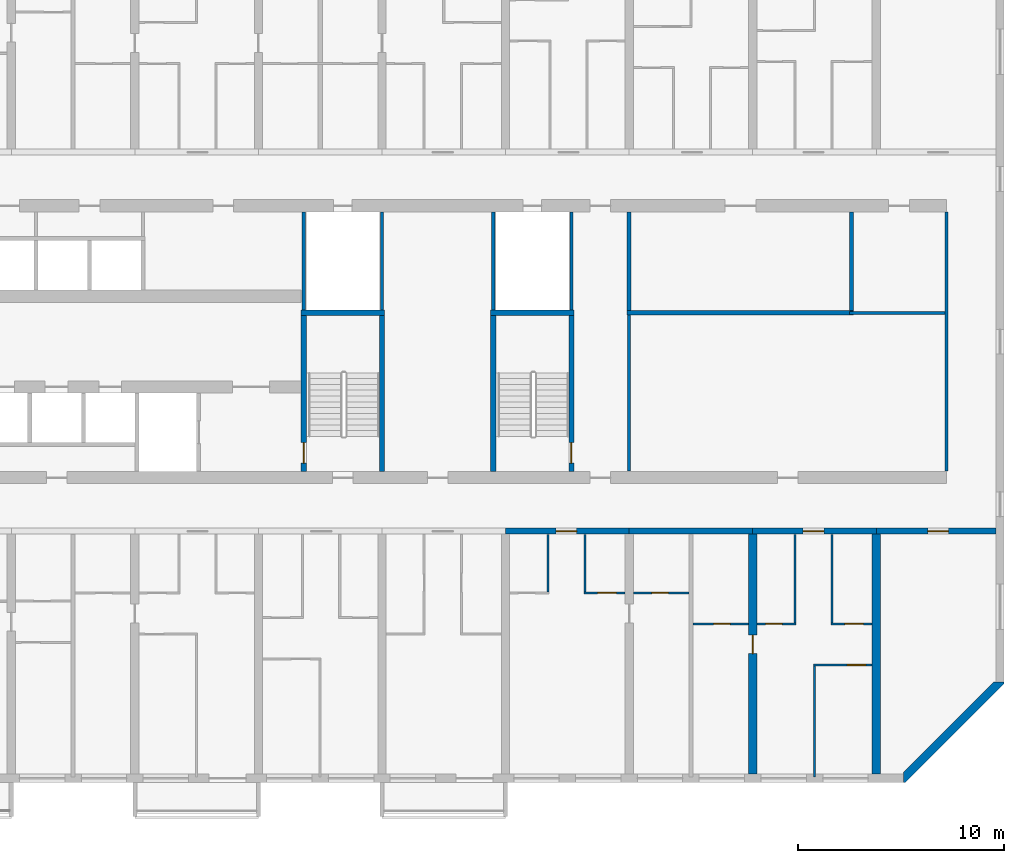
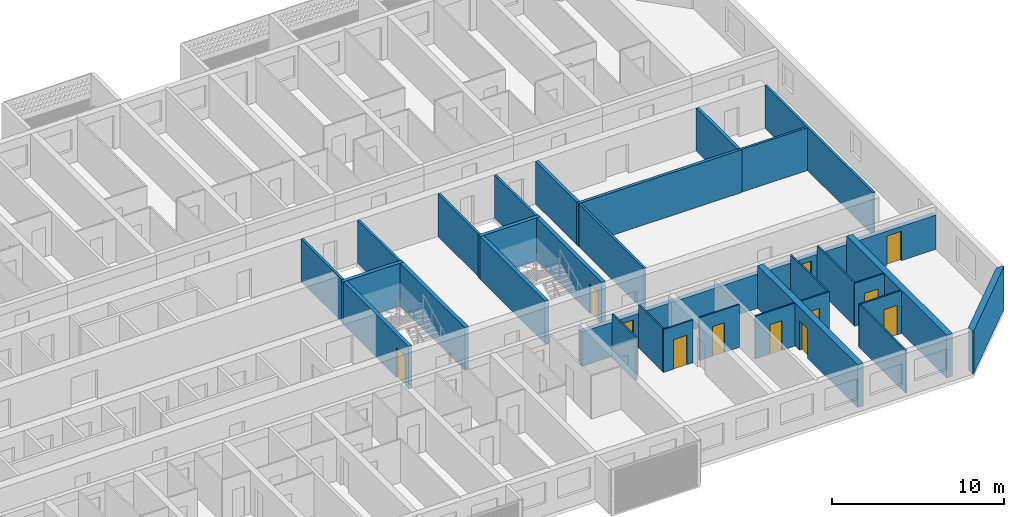
# One storey, part 15 of 40: 34 walls, 12 doors, 12 openings.
"""IFC4 building model written with IfcOpenShell, lengths in metres."""

from ifc_helpers import new_model, si_unit, direction, frame, frame_2d, origin, place, context, subcontext, project, spatial, polyline, rectangle, outline, extrude, material, layer, layer_set, type_object, element, fill, save


model = new_model("IFC4")

# Units and contexts
model_context = context("Model", 3, precision=1e-05, world=origin(), true_north=direction((0.0, 1.0)))
body_context = subcontext(model_context, "Body", "Model", "MODEL_VIEW")
ifc_project = project(units=[si_unit("LENGTHUNIT", "METRE"), si_unit("AREAUNIT", "SQUARE_METRE"), si_unit("VOLUMEUNIT", "CUBIC_METRE"), si_unit("PLANEANGLEUNIT", "RADIAN"), si_unit("MASSUNIT", "GRAM", prefix="KILO")], contexts=[model_context])

# Site, building, storey
site_placement = place(None, origin())
site = spatial("IfcSite", under=ifc_project, at=site_placement, CompositionType="ELEMENT")
building_placement = place(site_placement, origin())
building = spatial("IfcBuilding", under=site, at=building_placement, Name="Poui Terraces", CompositionType="ELEMENT")
storey_placement = place(building_placement, frame((0.0, 0.0, 36.60009765625)))
storey = spatial("IfcBuildingStorey", under=building, at=storey_placement, Name="L09", CompositionType="ELEMENT", Elevation=36.60009765625)

# Walls
ifc_material_1 = material(Name="Fire-rated plasterboard wall")
ifc_layer_1 = layer(ifc_material_1, 0.14990234375)
ifc_layer_set_1 = layer_set([ifc_layer_1], Name="Fire-rated plasterboard wall")
wall_type_1 = type_object("IfcWallType", Name="CORRIDOR WALL 150", PredefinedType="PARTITIONING", material=ifc_layer_set_1)
wall_1_placement = place(storey_placement, frame((84.0, 14.909912109375, 0.0), z_axis=(0.0, 0.0, 1.0), x_axis=(0.0, 1.0, 0.0)))
element("IfcWall", 1, at=wall_1_placement, inside=storey, type_object=wall_type_1, Name="CORRIDOR WALL 150", PredefinedType="PARTITIONING", context=body_context, shape_type="SweptSolid", body=[
    extrude(rectangle(XDim=7.590087890625, YDim=0.14990234375, at=frame_2d((3.794921875, 0.0))), origin(), (0.0, 0.0, 1.0), 3.0498046875),
])
wall_2_placement = place(storey_placement, frame((99.39990234375, 14.909912109375, 0.0), z_axis=(0.0, 0.0, 1.0), x_axis=(0.0, 1.0, 0.0)))
element("IfcWall", 2, at=wall_2_placement, inside=storey, type_object=wall_type_1, Name="CORRIDOR WALL 150", PredefinedType="PARTITIONING", context=body_context, shape_type="SweptSolid", body=[
    extrude(rectangle(XDim=12.580078125, YDim=0.14990234375, at=frame_2d((6.2900390625, 0.0))), origin(), (0.0, 0.0, 1.0), 3.0498046875),
])

# Wall, opening, door
ifc_material_2 = material(Name="Concrete 80 MPa", Category="concrete")
ifc_layer_2 = layer(ifc_material_2, 0.300048828125)
ifc_layer_set_2 = layer_set([ifc_layer_2], Name="Concrete 80 MPa")
wall_type_2 = type_object("IfcWallType", Name="CORRIDOR WALL 300 80MPa", PredefinedType="SHEAR", material=ifc_layer_set_2)
wall_3_placement = place(storey_placement, frame((78.0, 12.0, 0.0), z_axis=(0.0, 0.0, 1.0), x_axis=(1.0, 0.0, 0.0)))
wall_3 = element("IfcWall", 3, at=wall_3_placement, inside=storey, type_object=wall_type_2, Name="CORRIDOR WALL LINE B BAY 14", PredefinedType="SHEAR", context=body_context, shape_type="SweptSolid", body=[
    extrude(rectangle(XDim=6.0, YDim=0.300048828125, at=frame_2d((3.0, 0.0))), origin(), (0.0, 0.0, 1.0), 2.449951171875),
])
opening_1_placement = place(wall_3_placement, frame((2.449951171875, 0.0, 0.0)))
opening_1 = element("IfcOpeningElement", 4, at=opening_1_placement, cuts=wall_3, Name="Opening FD30S", PredefinedType="OPENING", context=body_context, shape_type="SweptSolid", body=[
    extrude(rectangle(XDim=1.0, YDim=2.10009765625, at=frame_2d((0.5, 1.050048828125))), frame((0.0, 0.16015625, 0.0), z_axis=(0.0, -1.0, 0.0), x_axis=(1.0, 0.0, 0.0)), (0.0, 0.0, 1.0), 0.320068359375),
])
ifc_material_3 = material(Name="Steel fire door", Category="steel")
door_type_1 = type_object("IfcDoorType", Name="FLAT ENTRANCE DOOR 1000 X 2100", OperationType="NOTDEFINED", PredefinedType="DOOR", material=ifc_material_3)
door_1_placement = place(opening_1_placement, frame((1.0, 0.0, 0.0), z_axis=(0.0, 0.0, 1.0), x_axis=(-1.0, 0.0, 0.0)))
door_1 = element("IfcDoor", 5, at=door_1_placement, inside=storey, type_object=door_type_1, Name="FLAT ENTRANCE DOOR 139", OperationType="SINGLE_SWING_RIGHT", OverallHeight=2.10009765625, OverallWidth=1.0, PredefinedType="DOOR", context=body_context, shape_type="SweptSolid", body=[
    extrude(rectangle(XDim=1.0, YDim=2.10009765625, at=frame_2d((0.5, 1.050048828125))), frame((0.0, 0.02490234375, 0.0), z_axis=(0.0, -1.0, 0.0), x_axis=(1.0, 0.0, 0.0)), (0.0, 0.0, 1.0), 0.050048828125),
])
fill(opening_1, door_1)

# Wall
wall_4_placement = place(storey_placement, frame((84.0, 12.0, 0.0), z_axis=(0.0, 0.0, 1.0), x_axis=(1.0, 0.0, 0.0)))
element("IfcWall", 6, at=wall_4_placement, inside=storey, type_object=wall_type_2, Name="CORRIDOR WALL LINE B BAY 15", PredefinedType="SHEAR", context=body_context, shape_type="SweptSolid", body=[
    extrude(rectangle(XDim=6.0, YDim=0.300048828125, at=frame_2d((3.0, 0.0))), origin(), (0.0, 0.0, 1.0), 2.449951171875),
])

# Wall, opening, door
wall_5_placement = place(storey_placement, frame((90.0, 12.0, 0.0), z_axis=(0.0, 0.0, 1.0), x_axis=(1.0, 0.0, 0.0)))
wall_5 = element("IfcWall", 7, at=wall_5_placement, inside=storey, type_object=wall_type_2, Name="CORRIDOR WALL LINE B BAY 16", PredefinedType="SHEAR", context=body_context, shape_type="SweptSolid", body=[
    extrude(rectangle(XDim=6.0, YDim=0.300048828125, at=frame_2d((3.0, 0.0))), origin(), (0.0, 0.0, 1.0), 2.449951171875),
])
opening_2_placement = place(wall_5_placement, frame((2.449951171875, 0.0, 0.0)))
opening_2 = element("IfcOpeningElement", 8, at=opening_2_placement, cuts=wall_5, Name="Opening FD30S", PredefinedType="OPENING", context=body_context, shape_type="SweptSolid", body=[
    extrude(rectangle(XDim=1.0, YDim=2.10009765625, at=frame_2d((0.5, 1.050048828125))), frame((0.0, 0.16015625, 0.0), z_axis=(0.0, -1.0, 0.0), x_axis=(1.0, 0.0, 0.0)), (0.0, 0.0, 1.0), 0.320068359375),
])
door_2_placement = place(opening_2_placement, frame((1.0, 0.0, 0.0), z_axis=(0.0, 0.0, 1.0), x_axis=(-1.0, 0.0, 0.0)))
door_2 = element("IfcDoor", 9, at=door_2_placement, inside=storey, type_object=door_type_1, Name="FLAT ENTRANCE DOOR 145", OperationType="SINGLE_SWING_RIGHT", OverallHeight=2.10009765625, OverallWidth=1.0, PredefinedType="DOOR", context=body_context, shape_type="SweptSolid", body=[
    extrude(rectangle(XDim=1.0, YDim=2.10009765625, at=frame_2d((0.5, 1.050048828125))), frame((0.0, 0.02490234375, 0.0), z_axis=(0.0, -1.0, 0.0), x_axis=(1.0, 0.0, 0.0)), (0.0, 0.0, 1.0), 0.050048828125),
])
fill(opening_2, door_2)

wall_6_placement = place(storey_placement, frame((96.0, 12.0, 0.0), z_axis=(0.0, 0.0, 1.0), x_axis=(1.0, 0.0, 0.0)))
wall_6 = element("IfcWall", 10, at=wall_6_placement, inside=storey, type_object=wall_type_2, Name="CORRIDOR WALL LINE B BAY 17", PredefinedType="SHEAR", context=body_context, shape_type="SweptSolid", body=[
    extrude(rectangle(XDim=5.800048828125, YDim=0.300048828125, at=frame_2d((2.89990234375, 0.0))), origin(), (0.0, 0.0, 1.0), 2.449951171875),
])
opening_3_placement = place(wall_6_placement, frame((2.5, 0.0, 0.0)))
opening_3 = element("IfcOpeningElement", 11, at=opening_3_placement, cuts=wall_6, Name="Opening D100", PredefinedType="OPENING", context=body_context, shape_type="SweptSolid", body=[
    extrude(rectangle(XDim=1.0, YDim=2.10009765625, at=frame_2d((0.5, 1.050048828125))), frame((0.0, 0.16015625, 0.0), z_axis=(0.0, -1.0, 0.0), x_axis=(1.0, 0.0, 0.0)), (0.0, 0.0, 1.0), 0.320068359375),
])
ifc_material_4 = material(Name="Solid core timber door", Category="wood")
door_type_2 = type_object("IfcDoorType", Name="ACCESSIBLE INTERNAL DOOR 1000 X 2100", OperationType="NOTDEFINED", PredefinedType="DOOR", material=ifc_material_4)
door_3_placement = place(opening_3_placement, frame((1.0, 0.0, 0.0), z_axis=(0.0, 0.0, 1.0), x_axis=(-1.0, 0.0, 0.0)))
door_3 = element("IfcDoor", 12, at=door_3_placement, inside=storey, type_object=door_type_2, Name="ACCESSIBLE INTERNAL DOOR 148", OperationType="SINGLE_SWING_RIGHT", OverallHeight=2.10009765625, OverallWidth=1.0, PredefinedType="DOOR", context=body_context, shape_type="SweptSolid", body=[
    extrude(rectangle(XDim=1.0, YDim=2.10009765625, at=frame_2d((0.5, 1.050048828125))), frame((0.0, 0.02490234375, 0.0), z_axis=(0.0, -1.0, 0.0), x_axis=(1.0, 0.0, 0.0)), (0.0, 0.0, 1.0), 0.050048828125),
])
fill(opening_3, door_3)

ifc_layer_3 = layer(ifc_material_2, 0.39990234375)
ifc_layer_set_3 = layer_set([ifc_layer_3], Name="Concrete 80 MPa")
wall_type_3 = type_object("IfcWallType", Name="CROSS WALL 400 80MPa", PredefinedType="SHEAR", material=ifc_layer_set_3)
wall_7_placement = place(storey_placement, frame((90.0, 0.199951171875, 0.0), z_axis=(0.0, 0.0, 1.0), x_axis=(0.0, 1.0, 0.0)))
wall_7 = element("IfcWall", 13, at=wall_7_placement, inside=storey, type_object=wall_type_3, Name="CROSS WALL LINE 16 SOUTH", PredefinedType="SHEAR", context=body_context, shape_type="SweptSolid", body=[
    extrude(rectangle(XDim=11.650146484375, YDim=0.39990234375, at=frame_2d((5.8251953125, 0.0))), origin(), (0.0, 0.0, 1.0), 3.0498046875),
])
opening_4_placement = place(wall_7_placement, frame((5.85009765625, 0.0, 0.0)))
opening_4 = element("IfcOpeningElement", 14, at=opening_4_placement, cuts=wall_7, Name="Opening D90", PredefinedType="OPENING", context=body_context, shape_type="SweptSolid", body=[
    extrude(rectangle(XDim=0.89990234375, YDim=2.10009765625, at=frame_2d((0.449951171875, 1.050048828125))), frame((0.0, 0.2099609375, 0.0), z_axis=(0.0, -1.0, 0.0), x_axis=(1.0, 0.0, 0.0)), (0.0, 0.0, 1.0), 0.419921875),
])
door_type_3 = type_object("IfcDoorType", Name="INTERNAL DOOR 900 X 2100", OperationType="NOTDEFINED", PredefinedType="DOOR", material=ifc_material_4)
door_4_placement = place(opening_4_placement, origin())
door_4 = element("IfcDoor", 15, at=door_4_placement, inside=storey, type_object=door_type_3, Name="INTERNAL DOOR 143", OperationType="SINGLE_SWING_RIGHT", OverallHeight=2.10009765625, OverallWidth=0.89990234375, PredefinedType="DOOR", context=body_context, shape_type="SweptSolid", body=[
    extrude(rectangle(XDim=0.89990234375, YDim=2.10009765625, at=frame_2d((0.449951171875, 1.050048828125))), frame((0.0, 0.02490234375, 0.0), z_axis=(0.0, -1.0, 0.0), x_axis=(1.0, 0.0, 0.0)), (0.0, 0.0, 1.0), 0.050048828125),
])
fill(opening_4, door_4)

# Wall
wall_8_placement = place(storey_placement, frame((96.0, 0.199951171875, 0.0), z_axis=(0.0, 0.0, 1.0), x_axis=(0.0, 1.0, 0.0)))
element("IfcWall", 16, at=wall_8_placement, inside=storey, type_object=wall_type_3, Name="CROSS WALL LINE 17 SOUTH", PredefinedType="SHEAR", context=body_context, shape_type="SweptSolid", body=[
    extrude(rectangle(XDim=11.650146484375, YDim=0.39990234375, at=frame_2d((5.8251953125, 0.0))), origin(), (0.0, 0.0, 1.0), 3.0498046875),
])

# Wall, opening, door
ifc_material_5 = material(Name="Plasterboard partition")
ifc_layer_4 = layer(ifc_material_5, 0.10009765625)
ifc_layer_set_4 = layer_set([ifc_layer_4], Name="Plasterboard partition")
wall_type_4 = type_object("IfcWallType", Name="FLAT PARTITION 100", PredefinedType="PARTITIONING", material=ifc_layer_set_4)
wall_9_placement = place(storey_placement, frame((92.949951171875, 5.5, 0.0), z_axis=(0.0, 0.0, 1.0), x_axis=(1.0, 0.0, 0.0)))
wall_9 = element("IfcWall", 17, at=wall_9_placement, inside=storey, type_object=wall_type_4, Name="FLAT PARTITION 100", PredefinedType="PARTITIONING", context=body_context, shape_type="SweptSolid", body=[
    extrude(rectangle(XDim=2.840087890625, YDim=0.10009765625, at=frame_2d((1.419921875, 0.0))), origin(), (0.0, 0.0, 1.0), 3.0498046875),
])
opening_5_placement = place(wall_9_placement, frame((1.64990234375, 0.0, 0.0)))
opening_5 = element("IfcOpeningElement", 18, at=opening_5_placement, cuts=wall_9, Name="Opening D90", PredefinedType="OPENING", context=body_context, shape_type="SweptSolid", body=[
    extrude(rectangle(XDim=0.89990234375, YDim=2.10009765625, at=frame_2d((0.449951171875, 1.050048828125))), frame((0.0, 0.06005859375, 0.0), z_axis=(0.0, -1.0, 0.0), x_axis=(1.0, 0.0, 0.0)), (0.0, 0.0, 1.0), 0.1201171875),
])
door_5_placement = place(opening_5_placement, frame((0.89990234375, 0.0, 0.0), z_axis=(0.0, 0.0, 1.0), x_axis=(-1.0, 0.0, 0.0)))
door_5 = element("IfcDoor", 19, at=door_5_placement, inside=storey, type_object=door_type_3, Name="INTERNAL DOOR 147", OperationType="SINGLE_SWING_LEFT", OverallHeight=2.10009765625, OverallWidth=0.89990234375, PredefinedType="DOOR", context=body_context, shape_type="SweptSolid", body=[
    extrude(rectangle(XDim=0.89990234375, YDim=2.10009765625, at=frame_2d((0.449951171875, 1.050048828125))), frame((0.0, 0.02490234375, 0.0), z_axis=(0.0, -1.0, 0.0), x_axis=(1.0, 0.0, 0.0)), (0.0, 0.0, 1.0), 0.050048828125),
])
fill(opening_5, door_5)

wall_10_placement = place(storey_placement, frame((87.10009765625, 7.5, 0.0), z_axis=(0.0, 0.0, 1.0), x_axis=(1.0, 0.0, 0.0)))
wall_10 = element("IfcWall", 20, at=wall_10_placement, inside=storey, type_object=wall_type_4, Name="FLAT PARTITION 100", PredefinedType="PARTITIONING", context=body_context, shape_type="SweptSolid", body=[
    extrude(rectangle(XDim=2.68994140625, YDim=0.10009765625, at=frame_2d((1.344970703125, 0.0))), origin(), (0.0, 0.0, 1.0), 3.0498046875),
])
opening_6_placement = place(wall_10_placement, frame((1.0, 0.0, 0.0)))
opening_6 = element("IfcOpeningElement", 21, at=opening_6_placement, cuts=wall_10, Name="Opening D80", PredefinedType="OPENING", context=body_context, shape_type="SweptSolid", body=[
    extrude(rectangle(XDim=0.800048828125, YDim=2.10009765625, at=frame_2d((0.39990234375, 1.050048828125))), frame((0.0, 0.06005859375, 0.0), z_axis=(0.0, -1.0, 0.0), x_axis=(1.0, 0.0, 0.0)), (0.0, 0.0, 1.0), 0.1201171875),
])
door_type_4 = type_object("IfcDoorType", Name="BATHROOM, LAUNDRY AND STORE DOOR 800 X 2100", OperationType="NOTDEFINED", PredefinedType="DOOR", material=ifc_material_4)
door_6_placement = place(opening_6_placement, origin())
door_6 = element("IfcDoor", 22, at=door_6_placement, inside=storey, type_object=door_type_4, Name="BATHROOM, LAUNDRY AND STORE DOOR 142", OperationType="SINGLE_SWING_LEFT", OverallHeight=2.10009765625, OverallWidth=0.800048828125, PredefinedType="DOOR", context=body_context, shape_type="SweptSolid", body=[
    extrude(rectangle(XDim=0.800048828125, YDim=2.10009765625, at=frame_2d((0.39990234375, 1.050048828125))), frame((0.0, 0.02490234375, 0.0), z_axis=(0.0, -1.0, 0.0), x_axis=(1.0, 0.0, 0.0)), (0.0, 0.0, 1.0), 0.050048828125),
])
fill(opening_6, door_6)

wall_11_placement = place(storey_placement, frame((90.2099609375, 7.5, 0.0), z_axis=(0.0, 0.0, 1.0), x_axis=(1.0, 0.0, 0.0)))
wall_11 = element("IfcWall", 23, at=wall_11_placement, inside=storey, type_object=wall_type_4, Name="FLAT PARTITION 100", PredefinedType="PARTITIONING", context=body_context, shape_type="SweptSolid", body=[
    extrude(rectangle(XDim=1.89013671875, YDim=0.10009765625, at=frame_2d((0.945068359375, 0.0))), origin(), (0.0, 0.0, 1.0), 3.0498046875),
])
opening_7_placement = place(wall_11_placement, frame((0.4150390625, 0.0, 0.0)))
opening_7 = element("IfcOpeningElement", 24, at=opening_7_placement, cuts=wall_11, Name="Opening D80", PredefinedType="OPENING", context=body_context, shape_type="SweptSolid", body=[
    extrude(rectangle(XDim=0.800048828125, YDim=2.10009765625, at=frame_2d((0.39990234375, 1.050048828125))), frame((0.0, 0.06005859375, 0.0), z_axis=(0.0, -1.0, 0.0), x_axis=(1.0, 0.0, 0.0)), (0.0, 0.0, 1.0), 0.1201171875),
])
door_7_placement = place(opening_7_placement, origin())
door_7 = element("IfcDoor", 25, at=door_7_placement, inside=storey, type_object=door_type_4, Name="BATHROOM, LAUNDRY AND STORE DOOR 144", OperationType="SINGLE_SWING_LEFT", OverallHeight=2.10009765625, OverallWidth=0.800048828125, PredefinedType="DOOR", context=body_context, shape_type="SweptSolid", body=[
    extrude(rectangle(XDim=0.800048828125, YDim=2.10009765625, at=frame_2d((0.39990234375, 1.050048828125))), frame((0.0, 0.02490234375, 0.0), z_axis=(0.0, -1.0, 0.0), x_axis=(1.0, 0.0, 0.0)), (0.0, 0.0, 1.0), 0.050048828125),
])
fill(opening_7, door_7)

wall_12_placement = place(storey_placement, frame((93.800048828125, 7.5, 0.0), z_axis=(0.0, 0.0, 1.0), x_axis=(1.0, 0.0, 0.0)))
wall_12 = element("IfcWall", 26, at=wall_12_placement, inside=storey, type_object=wall_type_4, Name="FLAT PARTITION 100", PredefinedType="PARTITIONING", context=body_context, shape_type="SweptSolid", body=[
    extrude(rectangle(XDim=1.989990234375, YDim=0.10009765625, at=frame_2d((0.9951171875, 0.0))), origin(), (0.0, 0.0, 1.0), 3.0498046875),
])
opening_8_placement = place(wall_12_placement, frame((0.675048828125, 0.0, 0.0)))
opening_8 = element("IfcOpeningElement", 27, at=opening_8_placement, cuts=wall_12, Name="Opening D90", PredefinedType="OPENING", context=body_context, shape_type="SweptSolid", body=[
    extrude(rectangle(XDim=0.89990234375, YDim=2.10009765625, at=frame_2d((0.449951171875, 1.050048828125))), frame((0.0, 0.06005859375, 0.0), z_axis=(0.0, -1.0, 0.0), x_axis=(1.0, 0.0, 0.0)), (0.0, 0.0, 1.0), 0.1201171875),
])
door_8_placement = place(opening_8_placement, origin())
door_8 = element("IfcDoor", 28, at=door_8_placement, inside=storey, type_object=door_type_3, Name="INTERNAL DOOR 146", OperationType="SINGLE_SWING_RIGHT", OverallHeight=2.10009765625, OverallWidth=0.89990234375, PredefinedType="DOOR", context=body_context, shape_type="SweptSolid", body=[
    extrude(rectangle(XDim=0.89990234375, YDim=2.10009765625, at=frame_2d((0.449951171875, 1.050048828125))), frame((0.0, 0.02490234375, 0.0), z_axis=(0.0, -1.0, 0.0), x_axis=(1.0, 0.0, 0.0)), (0.0, 0.0, 1.0), 0.050048828125),
])
fill(opening_8, door_8)

wall_13_placement = place(storey_placement, frame((81.800048828125, 9.0, 0.0), z_axis=(0.0, 0.0, 1.0), x_axis=(1.0, 0.0, 0.0)))
wall_13 = element("IfcWall", 29, at=wall_13_placement, inside=storey, type_object=wall_type_4, Name="FLAT PARTITION 100", PredefinedType="PARTITIONING", context=body_context, shape_type="SweptSolid", body=[
    extrude(rectangle(XDim=1.989990234375, YDim=0.10009765625, at=frame_2d((0.9951171875, 0.0))), origin(), (0.0, 0.0, 1.0), 3.0498046875),
])
opening_9_placement = place(wall_13_placement, frame((0.675048828125, 0.0, 0.0)))
opening_9 = element("IfcOpeningElement", 30, at=opening_9_placement, cuts=wall_13, Name="Opening D90", PredefinedType="OPENING", context=body_context, shape_type="SweptSolid", body=[
    extrude(rectangle(XDim=0.89990234375, YDim=2.10009765625, at=frame_2d((0.449951171875, 1.050048828125))), frame((0.0, 0.06005859375, 0.0), z_axis=(0.0, -1.0, 0.0), x_axis=(1.0, 0.0, 0.0)), (0.0, 0.0, 1.0), 0.1201171875),
])
door_9_placement = place(opening_9_placement, origin())
door_9 = element("IfcDoor", 31, at=door_9_placement, inside=storey, type_object=door_type_3, Name="INTERNAL DOOR 140", OperationType="SINGLE_SWING_RIGHT", OverallHeight=2.10009765625, OverallWidth=0.89990234375, PredefinedType="DOOR", context=body_context, shape_type="SweptSolid", body=[
    extrude(rectangle(XDim=0.89990234375, YDim=2.10009765625, at=frame_2d((0.449951171875, 1.050048828125))), frame((0.0, 0.02490234375, 0.0), z_axis=(0.0, -1.0, 0.0), x_axis=(1.0, 0.0, 0.0)), (0.0, 0.0, 1.0), 0.050048828125),
])
fill(opening_9, door_9)

wall_14_placement = place(storey_placement, frame((84.2099609375, 9.0, 0.0), z_axis=(0.0, 0.0, 1.0), x_axis=(1.0, 0.0, 0.0)))
wall_14 = element("IfcWall", 32, at=wall_14_placement, inside=storey, type_object=wall_type_4, Name="FLAT PARTITION 100", PredefinedType="PARTITIONING", context=body_context, shape_type="SweptSolid", body=[
    extrude(rectangle(XDim=2.68994140625, YDim=0.10009765625, at=frame_2d((1.344970703125, 0.0))), origin(), (0.0, 0.0, 1.0), 3.0498046875),
])
opening_10_placement = place(wall_14_placement, frame((0.889892578125, 0.0, 0.0)))
opening_10 = element("IfcOpeningElement", 33, at=opening_10_placement, cuts=wall_14, Name="Opening D80", PredefinedType="OPENING", context=body_context, shape_type="SweptSolid", body=[
    extrude(rectangle(XDim=0.800048828125, YDim=2.10009765625, at=frame_2d((0.39990234375, 1.050048828125))), frame((0.0, 0.06005859375, 0.0), z_axis=(0.0, -1.0, 0.0), x_axis=(1.0, 0.0, 0.0)), (0.0, 0.0, 1.0), 0.1201171875),
])
door_10_placement = place(opening_10_placement, origin())
door_10 = element("IfcDoor", 34, at=door_10_placement, inside=storey, type_object=door_type_4, Name="BATHROOM, LAUNDRY AND STORE DOOR 137", OperationType="SINGLE_SWING_RIGHT", OverallHeight=2.10009765625, OverallWidth=0.800048828125, PredefinedType="DOOR", context=body_context, shape_type="SweptSolid", body=[
    extrude(rectangle(XDim=0.800048828125, YDim=2.10009765625, at=frame_2d((0.39990234375, 1.050048828125))), frame((0.0, 0.02490234375, 0.0), z_axis=(0.0, -1.0, 0.0), x_axis=(1.0, 0.0, 0.0)), (0.0, 0.0, 1.0), 0.050048828125),
])
fill(opening_10, door_10)

# Walls
for number, where, z_axis, x_axis, name in (
    (35, (80.050048828125, 9.050048828125, 0.0), (0.0, 0.0, 1.0), (0.0, 1.0, 0.0), "FLAT PARTITION 100"),
    (36, (81.85009765625, 9.050048828125, 0.0), (0.0, 0.0, 1.0), (0.0, 1.0, 0.0), "FLAT PARTITION 100"),
):
    element("IfcWall", number, at=place(storey_placement, frame(where, z_axis=z_axis, x_axis=x_axis)), inside=storey, type_object=wall_type_4, Name=name, PredefinedType="PARTITIONING", context=body_context, shape_type="SweptSolid", body=[
        extrude(rectangle(XDim=2.7900390625, YDim=0.10009765625, at=frame_2d((1.39501953125, 0.0))), origin(), (0.0, 0.0, 1.0), 3.0498046875),
    ])
wall_15_placement = place(storey_placement, frame((92.050048828125, 7.550048828125, 0.0), z_axis=(0.0, 0.0, 1.0), x_axis=(0.0, 1.0, 0.0)))
element("IfcWall", 37, at=wall_15_placement, inside=storey, type_object=wall_type_4, Name="FLAT PARTITION 100", PredefinedType="PARTITIONING", context=body_context, shape_type="SweptSolid", body=[
    extrude(rectangle(XDim=4.2900390625, YDim=0.10009765625, at=frame_2d((2.14501953125, 0.0))), origin(), (0.0, 0.0, 1.0), 3.0498046875),
])
wall_16_placement = place(storey_placement, frame((93.0, 0.06005859375, 0.0), z_axis=(0.0, 0.0, 1.0), x_axis=(0.0, 1.0, 0.0)))
element("IfcWall", 38, at=wall_16_placement, inside=storey, type_object=wall_type_4, Name="FLAT PARTITION 100", PredefinedType="PARTITIONING", context=body_context, shape_type="SweptSolid", body=[
    extrude(rectangle(XDim=5.389892578125, YDim=0.10009765625, at=frame_2d((2.69482421875, 0.0))), origin(), (0.0, 0.0, 1.0), 3.0498046875),
])
wall_17_placement = place(storey_placement, frame((93.85009765625, 7.550048828125, 0.0), z_axis=(0.0, 0.0, 1.0), x_axis=(0.0, 1.0, 0.0)))
element("IfcWall", 39, at=wall_17_placement, inside=storey, type_object=wall_type_4, Name="FLAT PARTITION 100", PredefinedType="PARTITIONING", context=body_context, shape_type="SweptSolid", body=[
    extrude(rectangle(XDim=4.2900390625, YDim=0.10009765625, at=frame_2d((2.14501953125, 0.0))), origin(), (0.0, 0.0, 1.0), 3.0498046875),
])
ifc_layer_5 = layer(ifc_material_5, 0.14990234375)
ifc_layer_set_5 = layer_set([ifc_layer_5], Name="Plasterboard partition")
wall_type_5 = type_object("IfcWallType", Name="PARTITION WALL 150", PredefinedType="PARTITIONING", material=ifc_layer_set_5)
wall_18_placement = place(storey_placement, frame((94.699951171875, 22.60009765625, 0.0), z_axis=(0.0, 0.0, 1.0), x_axis=(1.0, 0.0, 0.0)))
element("IfcWall", 40, at=wall_18_placement, inside=storey, type_object=wall_type_5, Name="PARTITION WALL 150", PredefinedType="PARTITIONING", context=body_context, shape_type="SweptSolid", body=[
    extrude(rectangle(XDim=4.625, YDim=0.14990234375, at=frame_2d((2.3125, 0.0))), origin(), (0.0, 0.0, 1.0), 3.0498046875),
])
ifc_material_6 = material(Name="Fire-rated masonry wall", Category="masonry")
ifc_layer_6 = layer(ifc_material_6, 0.199951171875)
ifc_layer_set_6 = layer_set([ifc_layer_6], Name="Fire-rated masonry wall")
wall_type_6 = type_object("IfcWallType", Name="PLANT ROOM WALL 200", PredefinedType="PARTITIONING", material=ifc_layer_set_6)
wall_19_placement = place(storey_placement, frame((83.89990234375, 22.60009765625, 0.0), z_axis=(0.0, 0.0, 1.0), x_axis=(1.0, 0.0, 0.0)))
element("IfcWall", 41, at=wall_19_placement, inside=storey, type_object=wall_type_6, Name="PLANT ROOM WALL 200", PredefinedType="PARTITIONING", context=body_context, shape_type="SweptSolid", body=[
    extrude(rectangle(XDim=11.0, YDim=0.199951171875, at=frame_2d((5.5, 0.0))), origin(), (0.0, 0.0, 1.0), 3.0498046875),
])
for number, where, z_axis, x_axis, name in (
    (42, (84.0, 22.699951171875, 0.0), (0.0, 0.0, 1.0), (0.0, 1.0, 0.0), "PLANT ROOM WALL 200"),
    (43, (94.800048828125, 22.699951171875, 0.0), (0.0, 0.0, 1.0), (0.0, 1.0, 0.0), "PLANT ROOM WALL 200"),
):
    element("IfcWall", number, at=place(storey_placement, frame(where, z_axis=z_axis, x_axis=x_axis)), inside=storey, type_object=wall_type_6, Name=name, PredefinedType="PARTITIONING", context=body_context, shape_type="SweptSolid", body=[
        extrude(rectangle(XDim=4.7900390625, YDim=0.199951171875, at=frame_2d((2.39501953125, 0.0))), origin(), (0.0, 0.0, 1.0), 3.0498046875),
    ])
ifc_material_7 = material(Name="Fire-rated plasterboard riser wall")
ifc_layer_7 = layer(ifc_material_7, 0.14990234375)
ifc_layer_set_7 = layer_set([ifc_layer_7], Name="Fire-rated plasterboard riser wall")
wall_type_7 = type_object("IfcWallType", Name="RISER WALL 150", PredefinedType="PARTITIONING", material=ifc_layer_set_7)
for number, where, z_axis, x_axis, name in (
    (44, (68.199951171875, 22.735107421875, 0.0), (0.0, 0.0, 1.0), (0.0, 1.0, 0.0), "RISER WALL 150"),
    (45, (72.0, 22.735107421875, 0.0), (0.0, 0.0, 1.0), (0.0, 1.0, 0.0), "RISER WALL 150"),
    (46, (77.39990234375, 22.735107421875, 0.0), (0.0, 0.0, 1.0), (0.0, 1.0, 0.0), "RISER WALL 150"),
    (47, (81.199951171875, 22.735107421875, 0.0), (0.0, 0.0, 1.0), (0.0, 1.0, 0.0), "RISER WALL 150"),
):
    element("IfcWall", number, at=place(storey_placement, frame(where, z_axis=z_axis, x_axis=x_axis)), inside=storey, type_object=wall_type_7, Name=name, PredefinedType="PARTITIONING", context=body_context, shape_type="SweptSolid", body=[
        extrude(rectangle(XDim=4.7548828125, YDim=0.14990234375, at=frame_2d((2.37744140625, 0.0))), origin(), (0.0, 0.0, 1.0), 3.0498046875),
    ])

# Wall, opening, door
ifc_layer_8 = layer(ifc_material_2, 0.25)
ifc_layer_set_8 = layer_set([ifc_layer_8], Name="Concrete 80 MPa")
wall_type_8 = type_object("IfcWallType", Name="STAIR CORE WALL 250 80 MPA", PredefinedType="SOLIDWALL", material=ifc_layer_set_8)
wall_20_placement = place(storey_placement, frame((68.199951171875, 14.89990234375, 0.0), z_axis=(0.0, 0.0, 1.0), x_axis=(0.0, 1.0, 0.0)))
wall_20 = element("IfcWall", 48, at=wall_20_placement, inside=storey, type_object=wall_type_8, Name="STAIR CORE WALL", PredefinedType="SOLIDWALL", context=body_context, shape_type="SweptSolid", body=[
    extrude(rectangle(XDim=7.5751953125, YDim=0.25, at=frame_2d((3.78759765625, 0.0))), origin(), (0.0, 0.0, 1.0), 3.0498046875),
])
opening_11_placement = place(wall_20_placement, frame((0.39990234375, 0.0, 0.0)))
opening_11 = element("IfcOpeningElement", 49, at=opening_11_placement, cuts=wall_20, Name="Opening FD60S", PredefinedType="OPENING", context=body_context, shape_type="SweptSolid", body=[
    extrude(rectangle(XDim=1.0, YDim=2.10009765625, at=frame_2d((0.5, 1.050048828125))), frame((0.0, 0.135009765625, 0.0), z_axis=(0.0, -1.0, 0.0), x_axis=(1.0, 0.0, 0.0)), (0.0, 0.0, 1.0), 0.27001953125),
])
door_type_5 = type_object("IfcDoorType", Name="STAIR DOOR 1000 X 2100", OperationType="NOTDEFINED", PredefinedType="DOOR", material=ifc_material_3)
door_11_placement = place(opening_11_placement, frame((1.0, 0.0, 0.0), z_axis=(0.0, 0.0, 1.0), x_axis=(-1.0, 0.0, 0.0)))
door_11 = element("IfcDoor", 50, at=door_11_placement, inside=storey, type_object=door_type_5, Name="STAIR DOOR 150", OperationType="SINGLE_SWING_LEFT", OverallHeight=2.10009765625, OverallWidth=1.0, PredefinedType="DOOR", context=body_context, shape_type="SweptSolid", body=[
    extrude(rectangle(XDim=1.0, YDim=2.10009765625, at=frame_2d((0.5, 1.050048828125))), frame((0.0, 0.02490234375, 0.0), z_axis=(0.0, -1.0, 0.0), x_axis=(1.0, 0.0, 0.0)), (0.0, 0.0, 1.0), 0.050048828125),
])
fill(opening_11, door_11)

# Walls
wall_21_placement = place(storey_placement, frame((72.0, 14.89990234375, 0.0), z_axis=(0.0, 0.0, 1.0), x_axis=(0.0, 1.0, 0.0)))
element("IfcWall", 51, at=wall_21_placement, inside=storey, type_object=wall_type_8, Name="STAIR CORE WALL", PredefinedType="SOLIDWALL", context=body_context, shape_type="SweptSolid", body=[
    extrude(rectangle(XDim=7.5751953125, YDim=0.25, at=frame_2d((3.78759765625, 0.0))), origin(), (0.0, 0.0, 1.0), 3.0498046875),
])
wall_22_placement = place(storey_placement, frame((68.074951171875, 22.60009765625, 0.0), z_axis=(0.0, 0.0, 1.0), x_axis=(1.0, 0.0, 0.0)))
element("IfcWall", 52, at=wall_22_placement, inside=storey, type_object=wall_type_8, Name="STAIR CORE WALL", PredefinedType="SOLIDWALL", context=body_context, shape_type="SweptSolid", body=[
    extrude(rectangle(XDim=4.050048828125, YDim=0.25, at=frame_2d((2.02490234375, 0.0))), origin(), (0.0, 0.0, 1.0), 3.0498046875),
])
wall_23_placement = place(storey_placement, frame((77.39990234375, 14.89990234375, 0.0), z_axis=(0.0, 0.0, 1.0), x_axis=(0.0, 1.0, 0.0)))
element("IfcWall", 53, at=wall_23_placement, inside=storey, type_object=wall_type_8, Name="STAIR CORE WALL", PredefinedType="SOLIDWALL", context=body_context, shape_type="SweptSolid", body=[
    extrude(rectangle(XDim=7.5751953125, YDim=0.25, at=frame_2d((3.78759765625, 0.0))), origin(), (0.0, 0.0, 1.0), 3.0498046875),
])

# Wall, opening, door
wall_24_placement = place(storey_placement, frame((81.199951171875, 14.89990234375, 0.0), z_axis=(0.0, 0.0, 1.0), x_axis=(0.0, 1.0, 0.0)))
wall_24 = element("IfcWall", 54, at=wall_24_placement, inside=storey, type_object=wall_type_8, Name="STAIR CORE WALL", PredefinedType="SOLIDWALL", context=body_context, shape_type="SweptSolid", body=[
    extrude(rectangle(XDim=7.5751953125, YDim=0.25, at=frame_2d((3.78759765625, 0.0))), origin(), (0.0, 0.0, 1.0), 3.0498046875),
])
opening_12_placement = place(wall_24_placement, frame((0.39990234375, 0.0, 0.0)))
opening_12 = element("IfcOpeningElement", 55, at=opening_12_placement, cuts=wall_24, Name="Opening FD60S", PredefinedType="OPENING", context=body_context, shape_type="SweptSolid", body=[
    extrude(rectangle(XDim=1.0, YDim=2.10009765625, at=frame_2d((0.5, 1.050048828125))), frame((0.0, 0.135009765625, 0.0), z_axis=(0.0, -1.0, 0.0), x_axis=(1.0, 0.0, 0.0)), (0.0, 0.0, 1.0), 0.27001953125),
])
door_12_placement = place(opening_12_placement, origin())
door_12 = element("IfcDoor", 56, at=door_12_placement, inside=storey, type_object=door_type_5, Name="STAIR DOOR 164", OperationType="SINGLE_SWING_LEFT", OverallHeight=2.10009765625, OverallWidth=1.0, PredefinedType="DOOR", context=body_context, shape_type="SweptSolid", body=[
    extrude(rectangle(XDim=1.0, YDim=2.10009765625, at=frame_2d((0.5, 1.050048828125))), frame((0.0, 0.02490234375, 0.0), z_axis=(0.0, -1.0, 0.0), x_axis=(1.0, 0.0, 0.0)), (0.0, 0.0, 1.0), 0.050048828125),
])
fill(opening_12, door_12)

# Walls
wall_25_placement = place(storey_placement, frame((77.27490234375, 22.60009765625, 0.0), z_axis=(0.0, 0.0, 1.0), x_axis=(1.0, 0.0, 0.0)))
element("IfcWall", 57, at=wall_25_placement, inside=storey, type_object=wall_type_8, Name="STAIR CORE WALL", PredefinedType="SOLIDWALL", context=body_context, shape_type="SweptSolid", body=[
    extrude(rectangle(XDim=4.050048828125, YDim=0.25, at=frame_2d((2.02490234375, 0.0))), origin(), (0.0, 0.0, 1.0), 3.0498046875),
])
ifc_material_8 = material(Name="Precast concrete 40 MPa", Category="concrete")
ifc_layer_9 = layer(ifc_material_8, 0.39990234375)
ifc_layer_set_9 = layer_set([ifc_layer_9], Name="Precast concrete 40 MPa")
wall_type_9 = type_object("IfcWallType", Name="TERRACOTTA CLAD CHAMFER WALL 400", PredefinedType="STANDARD", material=ifc_layer_set_9)
wall_26_placement = place(storey_placement, origin())
element("IfcWall", 58, at=wall_26_placement, inside=storey, type_object=wall_type_9, Name="CHAMFER WALL CH01", PredefinedType="STANDARD", context=body_context, shape_type="SweptSolid", body=[
    extrude(outline(polyline([(97.317138671875, -0.199951171875), (97.39990234375, -0.199951171875), (102.199951171875, 4.60009765625), (102.199951171875, 4.682861328125), (101.71728515625, 4.682861328125), (97.317138671875, 0.28271484375), (97.317138671875, -0.199951171875)])), origin(), (0.0, 0.0, 1.0), 3.0498046875),
])

save(model, "model.ifc")
